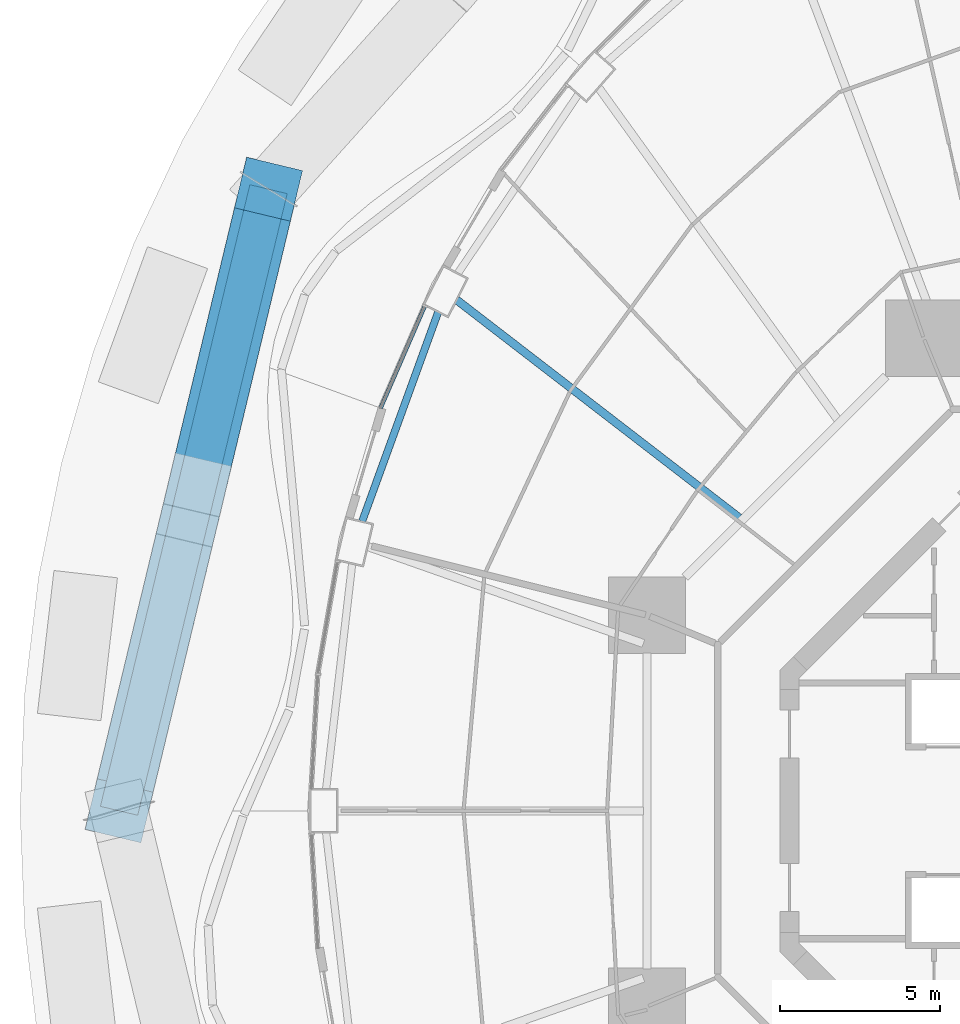
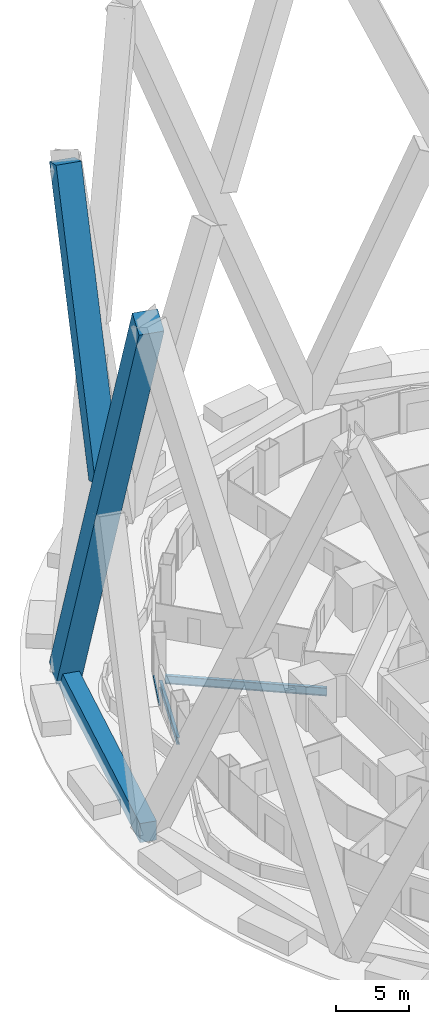
# One storey, part 18 of 42: 4 members, 2 beams, 1 element without a shape of its own.
"""IFC4 building model written with IfcOpenShell, lengths in metres."""

from ifc_helpers import new_model, si_unit, direction, frame, origin, origin_2d, place, context, subcontext, project, spatial, rectangle, i_section, extrude, material, layer, layer_set, material_profile, profile_set, type_object, element, aggregate, save


model = new_model("IFC4")

# Units and contexts
model_context = context("Model", 3, precision=1e-05, world=origin(), true_north=direction((0.0, 1.0)))
body_context = subcontext(model_context, "Body", "Model", "MODEL_VIEW")
ifc_project = project(units=[si_unit("LENGTHUNIT", "METRE"), si_unit("AREAUNIT", "SQUARE_METRE"), si_unit("VOLUMEUNIT", "CUBIC_METRE"), si_unit("PLANEANGLEUNIT", "RADIAN"), si_unit("MASSUNIT", "GRAM", prefix="KILO")], contexts=[model_context])

# Site, building, storey
site_placement = place(None, origin())
site = spatial("IfcSite", under=ifc_project, at=site_placement, CompositionType="ELEMENT")
building_placement = place(site_placement, origin())
building = spatial("IfcBuilding", under=site, at=building_placement, Name="Nagisa Residences", CompositionType="ELEMENT")
storey_placement = place(building_placement, frame((0.0, 0.0, 27.0)))
storey = spatial("IfcBuildingStorey", under=building, at=storey_placement, Name="L05", CompositionType="ELEMENT", Elevation=27.0)

# Curtain wall, member
ifc_material_1 = material(Name="Concrete-coloured aluminium curtain wall system", Category="concrete")
ifc_layer = layer(ifc_material_1, 0.159912109375)
ifc_layer_set = layer_set([ifc_layer], Name="CW1 CURTAIN WALL")
curtain_wall_type = type_object("IfcCurtainWallType", Name="CW1 CURTAIN WALL", PredefinedType="NOTDEFINED", material=ifc_layer_set)
curtain_wall_placement = place(storey_placement, origin())
curtain_wall = element("IfcCurtainWall", 1, at=curtain_wall_placement, inside=storey, type_object=curtain_wall_type, Name="cw:CW1:L05:20", PredefinedType="NOTDEFINED")
ifc_material_2 = material(Name="Concrete-coloured aluminium", Category="concrete")
ifc_material_profile_1 = material_profile(ifc_material_2, rectangle(XDim=0.1201171875, YDim=0.14990234375, at=origin_2d()), Name="CW1 TRANSOM 120x150")
ifc_profile_set_1 = profile_set([ifc_material_profile_1], Name="Concrete-coloured aluminium")
member_type_1 = type_object("IfcMemberType", Name="CW1 TRANSOM 120x150", PredefinedType="USERDEFINED", material=ifc_profile_set_1)
member_1_placement = place(storey_placement, frame((-21.7197265625, 15.825927734375, 0.074951171875), z_axis=(-0.397624958345, -0.917548032803, 0.0), x_axis=(0.917548032803, -0.397624958345, 0.0)))
member_1 = element("IfcMember", 2, at=member_1_placement, type_object=member_type_1, Name="CW1 transom", ObjectType="TRANSOM", PredefinedType="USERDEFINED", context=body_context, shape_type="SweptSolid", body=[
    extrude(rectangle(XDim=0.1201171875, YDim=0.14990234375, at=origin_2d()), origin(), (0.0, 0.0, 1.0), 3.51953125),
])
aggregate(curtain_wall, [member_1])

# Members
ifc_material_3 = material(Name="Concrete C80", Category="concrete")
ifc_material_profile_2 = material_profile(ifc_material_3, rectangle(XDim=1.800048828125, YDim=1.800048828125, at=origin_2d()), Name="C80 1800x1800")
ifc_profile_set_2 = profile_set([ifc_material_profile_2], Name="Concrete C80")
member_type_2 = type_object("IfcMemberType", Name="Cage diagonal 1 C80 1800x1800", PredefinedType="BRACE", material=ifc_profile_set_2)
member_2_placement = place(storey_placement, frame((-26.624267578125, 19.449951171875, 0.0), z_axis=(-0.09935140219, -0.413274235497, 0.905170539267), x_axis=(0.972298827792, -0.233741287483, 0.0)))
element("IfcMember", 3, at=member_2_placement, inside=storey, type_object=member_type_2, Name="mem:L05:cg1d111", PredefinedType="BRACE", context=body_context, shape_type="SweptSolid", body=[
    extrude(rectangle(XDim=1.800048828125, YDim=1.800048828125, at=origin_2d()), origin(), (0.0, 0.0, 1.0), 47.06298828125),
])
member_3_placement = place(storey_placement, frame((-28.847900390625, 10.2001953125, 22.340576171875), z_axis=(0.099349472142, 0.413268934021, 0.905173171586), x_axis=(-0.972299178317, 0.23373982939, 0.0)))
element("IfcMember", 4, at=member_3_placement, inside=storey, type_object=member_type_2, Name="mem:L05:cg1d112b", PredefinedType="BRACE", context=body_context, shape_type="SweptSolid", body=[
    extrude(rectangle(XDim=1.800048828125, YDim=1.800048828125, at=origin_2d()), origin(), (0.0, 0.0, 1.0), 22.3818359375),
])
ifc_material_4 = material(Name="Concrete C80", Category="concrete")
ifc_material_profile_3 = material_profile(ifc_material_4, rectangle(XDim=1.199951171875, YDim=1.60009765625, at=origin_2d()), Name="C80 1200x1600")
ifc_profile_set_3 = profile_set([ifc_material_profile_3], Name="Concrete C80")
member_type_3 = type_object("IfcMemberType", Name="Cage ring 1 C80 1200x1600", PredefinedType="CHORD", material=ifc_profile_set_3)
member_4_placement = place(storey_placement, frame((-26.624267578125, 19.449951171875, 0.0), z_axis=(-0.233741287483, -0.972298827792, 0.0), x_axis=(0.972298827792, -0.233741287483, 0.0)))
element("IfcMember", 5, at=member_4_placement, inside=storey, type_object=member_type_3, Name="beam:L05:cg1r106", PredefinedType="CHORD", context=body_context, shape_type="SweptSolid", body=[
    extrude(rectangle(XDim=1.199951171875, YDim=1.60009765625, at=origin_2d()), origin(), (0.0, 0.0, 1.0), 20.004150390625),
])

# Beams
ifc_material_5 = material(Name="Steel ASTM A572 Gr 50", Category="steel")
ifc_material_profile_4 = material_profile(ifc_material_5, i_section(OverallWidth=0.22802734375, OverallDepth=0.60302734375, WebThickness=0.010498046875, FlangeThickness=0.014892578125, at=origin_2d()), Name="W610x101")
ifc_profile_set_4 = profile_set([ifc_material_profile_4], Name="Steel ASTM A572 Gr 50")
beam_type_1 = type_object("IfcBeamType", Name="Perimeter ring beam W610x101", PredefinedType="BEAM", material=ifc_profile_set_4)
beam_1_placement = place(storey_placement, frame((-21.315673828125, 15.60595703125, -0.5615234375), z_axis=(-0.341411143183, -0.939914055279, 0.0), x_axis=(0.939914055279, -0.341411143183, 0.0)))
element("IfcBeam", 6, at=beam_1_placement, inside=storey, type_object=beam_type_1, Name="beam:L05:pb11", PredefinedType="BEAM", context=body_context, shape_type="SweptSolid", body=[
    extrude(i_section(OverallWidth=0.22802734375, OverallDepth=0.60302734375, WebThickness=0.010498046875, FlangeThickness=0.014892578125, at=origin_2d()), origin(), (0.0, 0.0, 1.0), 6.96923828125),
])
ifc_material_6 = material(Name="Steel ASTM A572 Gr 50", Category="steel")
ifc_material_profile_5 = material_profile(ifc_material_6, i_section(OverallWidth=0.25390625, OverallDepth=0.68408203125, WebThickness=0.012451171875, FlangeThickness=0.018798828125, at=origin_2d()), Name="W690x140")
ifc_profile_set_5 = profile_set([ifc_material_profile_5], Name="Steel ASTM A572 Gr 50")
beam_type_2 = type_object("IfcBeamType", Name="Radial beam W690x140", PredefinedType="BEAM", material=ifc_profile_set_5)
beam_2_placement = place(storey_placement, frame((-20.73486328125, 15.982666015625, -0.60205078125), z_axis=(0.792016146736, -0.610500141941, 0.0), x_axis=(0.610500141941, 0.792016146736, 0.0)))
element("IfcBeam", 7, at=beam_2_placement, inside=storey, type_object=beam_type_2, Name="beam:L05:rb11", PredefinedType="BEAM", context=body_context, shape_type="SweptSolid", body=[
    extrude(i_section(OverallWidth=0.25390625, OverallDepth=0.68408203125, WebThickness=0.012451171875, FlangeThickness=0.018798828125, at=origin_2d()), origin(), (0.0, 0.0, 1.0), 11.160888671875),
])

save(model, "model.ifc")
